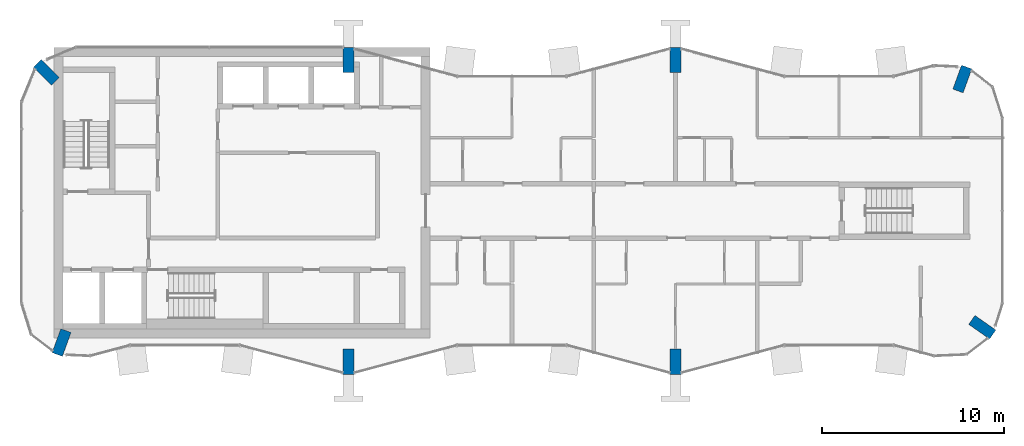
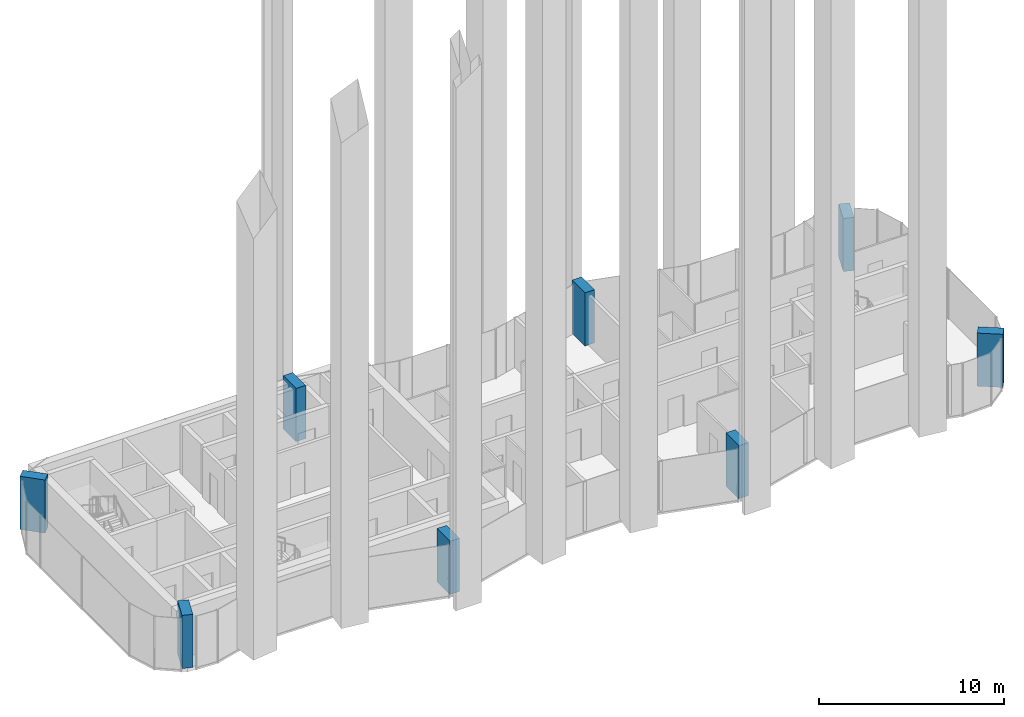
# One storey, part 1 of 11: 8 columns.
"""IFC4 building model written with IfcOpenShell, lengths in metres."""

import ifcopenshell
import ifcopenshell.guid

model = None  # the IFC model being written
_history = None  # IfcOwnerHistory: only IFC2X3 demands one
_inside = {}  # id of a spatial element -> (the spatial element, [elements in it])
_under = {}  # id of a project, library or spatial element -> (it, [spatial elements below it])
_declared = {}  # id of a project -> (the project, [libraries it declares])
_typed = {}  # id of a type object -> (the type object, [elements of that type])
_made_of = {}  # id of a material, layer set ... -> (it, [elements and type objects made of it])


def new_model(schema):
    """Start an empty IFC model of exactly this schema.

    Asked for "IFC4X3", IfcOpenShell would pick the latest addendum, in which some entities
    have other attributes; the version numbers below select the first issue.
    IFC2X3 requires an IfcOwnerHistory on every rooted entity: one is made here for all.
    """
    global model, _history
    if schema == "IFC4X3":
        model = ifcopenshell.file(schema_version=(4, 3, 0, 0))
    else:
        model = ifcopenshell.file(schema=schema)
    _inside.clear()
    _under.clear()
    _declared.clear()
    _typed.clear()
    _made_of.clear()
    _history = None
    if model.schema == "IFC2X3":
        org = make("IfcOrganization", Name="unknown")
        user = make(
            "IfcPersonAndOrganization",
            ThePerson=make("IfcPerson", FamilyName="unknown"),
            TheOrganization=org,
        )
        app = make(
            "IfcApplication",
            ApplicationDeveloper=org,
            Version="unknown",
            ApplicationFullName="unknown",
            ApplicationIdentifier="unknown",
        )
        _history = make(
            "IfcOwnerHistory",
            OwningUser=user,
            OwningApplication=app,
            ChangeAction="ADDED",
            CreationDate=0,
        )
    return model


def make(cls, **values):
    """One entity of the class cls with the attributes given. An attribute that is None is left unset."""
    return model.create_entity(
        cls, **{name: value for name, value in values.items() if value is not None}
    )


def rooted(cls, **values):
    """An entity with a GlobalId (a new one), such as an element, a storey or a relation."""
    return make(cls, GlobalId=ifcopenshell.guid.new(), OwnerHistory=_history, **values)


def si_unit(unit_type, name, prefix=None):
    """IfcSIUnit, for example si_unit("LENGTHUNIT", "METRE", prefix="MILLI")."""
    return make("IfcSIUnit", UnitType=unit_type, Prefix=prefix, Name=name)


def assignment(units):
    """IfcUnitAssignment: the units of a project."""
    return None if units is None else make("IfcUnitAssignment", Units=units)


def point(xyz):
    """IfcCartesianPoint."""
    return None if xyz is None else make("IfcCartesianPoint", Coordinates=xyz)


def direction(xyz):
    """IfcDirection."""
    return None if xyz is None else make("IfcDirection", DirectionRatios=xyz)


def frame(location, z_axis=None, x_axis=None):
    """IfcAxis2Placement3D, a coordinate frame: its origin and axes. An axis left out is left unset."""
    return make(
        "IfcAxis2Placement3D",
        Location=point(location),
        Axis=direction(z_axis),
        RefDirection=direction(x_axis),
    )


def frame_2d(location, x_axis=None):
    """IfcAxis2Placement2D, a coordinate frame in the plane: its origin and x axis."""
    return make(
        "IfcAxis2Placement2D", Location=point(location), RefDirection=direction(x_axis)
    )


def origin():
    """The frame at (0, 0, 0) with its axes left unset."""
    return frame((0.0, 0.0, 0.0))


def origin_2d():
    """The frame at (0, 0) in the plane with its x axis left unset."""
    return frame_2d((0.0, 0.0))


def place(relative_to, where):
    """IfcLocalPlacement: puts the frame where relative to a parent placement (None: the world)."""
    return make(
        "IfcLocalPlacement", PlacementRelTo=relative_to, RelativePlacement=where
    )


def context(
    kind, dimensions, precision=None, world=None, true_north=None, identifier=None
):
    """IfcGeometricRepresentationContext, for example the 3D "Model" context."""
    return make(
        "IfcGeometricRepresentationContext",
        ContextIdentifier=identifier,
        ContextType=kind,
        CoordinateSpaceDimension=dimensions,
        Precision=precision,
        WorldCoordinateSystem=world,
        TrueNorth=true_north,
    )


def subcontext(parent, identifier, kind, view, scale=None):
    """IfcGeometricRepresentationSubContext, for example "Body" below "Model"."""
    return make(
        "IfcGeometricRepresentationSubContext",
        ContextIdentifier=identifier,
        ContextType=kind,
        ParentContext=parent,
        TargetScale=scale,
        TargetView=view,
    )


def project(units=None, contexts=None):
    """IfcProject with its units and contexts."""
    return rooted(
        "IfcProject",
        Name="project",
        RepresentationContexts=contexts,
        UnitsInContext=assignment(units),
    )


def spatial(cls, under=None, at=None, **own):
    """A site, building, storey or space (cls), placed at a placement, below another one or the project."""
    s = rooted(cls, ObjectPlacement=at, **own)
    if under is not None:
        _under.setdefault(under.id(), (under, []))[1].append(s)
    return s


def profile(cls, at=None, kind="AREA", **sizes):
    """A parametric profile (cls). Its sizes go by their IFC names, for example OverallWidth=200.0."""
    return make(cls, ProfileType=kind, Position=at, **sizes)


def rectangle(**sizes):
    """IfcRectangleProfileDef."""
    return profile("IfcRectangleProfileDef", **sizes)


def extrude(swept, where, along, depth):
    """IfcExtrudedAreaSolid: the profile swept, set in the frame where, extruded along a direction by depth."""
    return make(
        "IfcExtrudedAreaSolid",
        SweptArea=swept,
        Position=where,
        ExtrudedDirection=direction(along),
        Depth=depth,
    )


def shape(context_of_items, identifier, shape_type, items):
    """IfcShapeRepresentation: the items that make up one representation, for example the "Body"."""
    return make(
        "IfcShapeRepresentation",
        ContextOfItems=context_of_items,
        RepresentationIdentifier=identifier,
        RepresentationType=shape_type,
        Items=items,
    )


def material(Name=None, Category=None):
    """IfcMaterial."""
    return make("IfcMaterial", Name=Name, Category=Category)


def material_profile(
    of_material, cross_section, Name=None, Category=None, Priority=None
):
    """IfcMaterialProfile: a cross section and its material."""
    return make(
        "IfcMaterialProfile",
        Name=Name,
        Material=of_material,
        Profile=cross_section,
        Priority=Priority,
        Category=Category,
    )


def profile_set(profiles, Name=None, composite=None):
    """IfcMaterialProfileSet."""
    return make(
        "IfcMaterialProfileSet",
        Name=Name,
        MaterialProfiles=profiles,
        CompositeProfile=composite,
    )


def made_of(thing, what):
    """Note that an element or type object is made of a material, layer set ...; save() writes the relation."""
    if what is not None:
        _made_of.setdefault(what.id(), (what, []))[1].append(thing)
    return thing


def type_object(cls, material=None, **own):
    """A type object (cls), such as IfcWallType, which elements share."""
    return made_of(rooted(cls, **own), material)


def element(
    cls,
    number,
    at=None,
    inside=None,
    cuts=None,
    type_object=None,
    material=None,
    context=None,
    identifier="Body",
    shape_type=None,
    held_by="IfcProductDefinitionShape",
    body=None,
    shapes=None,
    **own,
):
    """One element of the class cls, such as IfcWall. Its Tag is "e" and its number.

    at: its placement. inside: the storey or other place that contains it. cuts: it is an
    opening in that element (IfcRelVoidsElement). A single representation is given by context,
    identifier, shape_type and body (its items); several are given by shapes. held_by: the class
    of the entity that holds the representations. save() writes the other relations.
    """
    e = rooted(cls, Tag="e%d" % number, ObjectPlacement=at, **own)
    if body is not None:
        shapes = [shape(context, identifier, shape_type, body)]
    if shapes is not None:
        e.Representation = make(held_by, Representations=shapes)
    if inside is not None:
        _inside.setdefault(inside.id(), (inside, []))[1].append(e)
    if cuts is not None:
        rooted(
            "IfcRelVoidsElement", RelatingBuildingElement=cuts, RelatedOpeningElement=e
        )
    if type_object is not None:
        _typed.setdefault(type_object.id(), (type_object, []))[1].append(e)
    return made_of(e, material)


def aggregate(whole, parts):
    """IfcRelAggregates: a whole, such as a stair, and the parts it consists of."""
    return rooted("IfcRelAggregates", RelatingObject=whole, RelatedObjects=parts)


def save(model, path):
    """Write the relations noted so far, then the file.

    IfcRelAggregates (storeys below a building ...), IfcRelContainedInSpatialStructure (elements
    in a storey), IfcRelDefinesByType, IfcRelAssociatesMaterial and IfcRelDeclares: one each for
    every whole, place, type object, material and project.
    """
    for whole, parts in _under.values():
        aggregate(whole, parts)
    for where, things in _inside.values():
        rooted(
            "IfcRelContainedInSpatialStructure",
            RelatedElements=things,
            RelatingStructure=where,
        )
    for kind, things in _typed.values():
        rooted("IfcRelDefinesByType", RelatedObjects=things, RelatingType=kind)
    for what, things in _made_of.values():
        rooted("IfcRelAssociatesMaterial", RelatedObjects=things, RelatingMaterial=what)
    for by, libraries in _declared.values():
        rooted("IfcRelDeclares", RelatingContext=by, RelatedDefinitions=libraries)
    model.write(path)


model = new_model("IFC4")

# Units and contexts
model_context = context("Model", 3, precision=1e-05, world=origin(), true_north=direction((0.0, 1.0)))
body_context = subcontext(model_context, "Body", "Model", "MODEL_VIEW")
ifc_project = project(units=[si_unit("LENGTHUNIT", "METRE"), si_unit("AREAUNIT", "SQUARE_METRE"), si_unit("VOLUMEUNIT", "CUBIC_METRE"), si_unit("PLANEANGLEUNIT", "RADIAN"), si_unit("MASSUNIT", "GRAM", prefix="KILO")], contexts=[model_context])

# Site, building, storey
site_placement = place(None, origin())
site = spatial("IfcSite", under=ifc_project, at=site_placement, CompositionType="ELEMENT")
building_placement = place(site_placement, origin())
building = spatial("IfcBuilding", under=site, at=building_placement, Name="Plateau Cross Towers", CompositionType="ELEMENT")
storey_placement = place(building_placement, frame((0.0, 0.0, 242.39990234375)))
storey = spatial("IfcBuildingStorey", under=building, at=storey_placement, Name="L63", CompositionType="ELEMENT", Elevation=242.39990234375)

# Columns
ifc_material = material(Name="Concrete C60/75", Category="concrete")
ifc_material_profile = material_profile(ifc_material, rectangle(XDim=0.60009765625, YDim=1.39990234375, at=origin_2d()), Name="RC 600x1400")
ifc_profile_set = profile_set([ifc_material_profile], Name="Concrete C60/75")
column_type = type_object("IfcColumnType", Name="Fin pier column RC 600x1400", PredefinedType="COLUMN", material=ifc_profile_set)
for number, where, z_axis, x_axis, name in (
    (1, (18.0, 0.699951171875, 0.0), (0.0, 0.0, 1.0), (1.0, 0.0, 0.0), "PR1 L63"),
    (2, (36.0, 0.699951171875, 0.0), (0.0, 0.0, 1.0), (1.0, 0.0, 0.0), "PR2 L63"),
    (3, (52.884033203125, 2.590087890625, 0.0), (0.0, 0.0, 1.0), (0.573542637991, 0.819175709117, 0.0), "PR3 L63"),
    (4, (51.786865234375, 16.251953125, 0.0), (0.0, 0.0, 1.0), (-0.939664280925, 0.342097996418, 0.0), "PR4 L63"),
    (5, (36.0, 17.300048828125, 0.0), (0.0, 0.0, 1.0), (1.0, 0.0, 0.0), "PR5 L63"),
    (6, (18.0, 17.300048828125, 0.0), (0.0, 0.0, 1.0), (1.0, 0.0, 0.0), "PR13 L63"),
    (7, (1.37353515625, 16.62646484375, 0.0), (0.0, 0.0, 1.0), (0.707106781187, 0.707106781187, 0.0), "PR14 L63"),
    (8, (2.213134765625, 1.748046875, 0.0), (0.0, 0.0, 1.0), (-0.939664280925, 0.342097996418, 0.0), "PR12 L63"),
):
    element("IfcColumn", number, at=place(storey_placement, frame(where, z_axis=z_axis, x_axis=x_axis)), inside=storey, type_object=column_type, Name=name, PredefinedType="COLUMN", context=body_context, shape_type="SweptSolid", body=[
        extrude(rectangle(XDim=0.60009765625, YDim=1.39990234375, at=origin_2d()), origin(), (0.0, 0.0, 1.0), 3.5),
    ])

save(model, "model.ifc")
